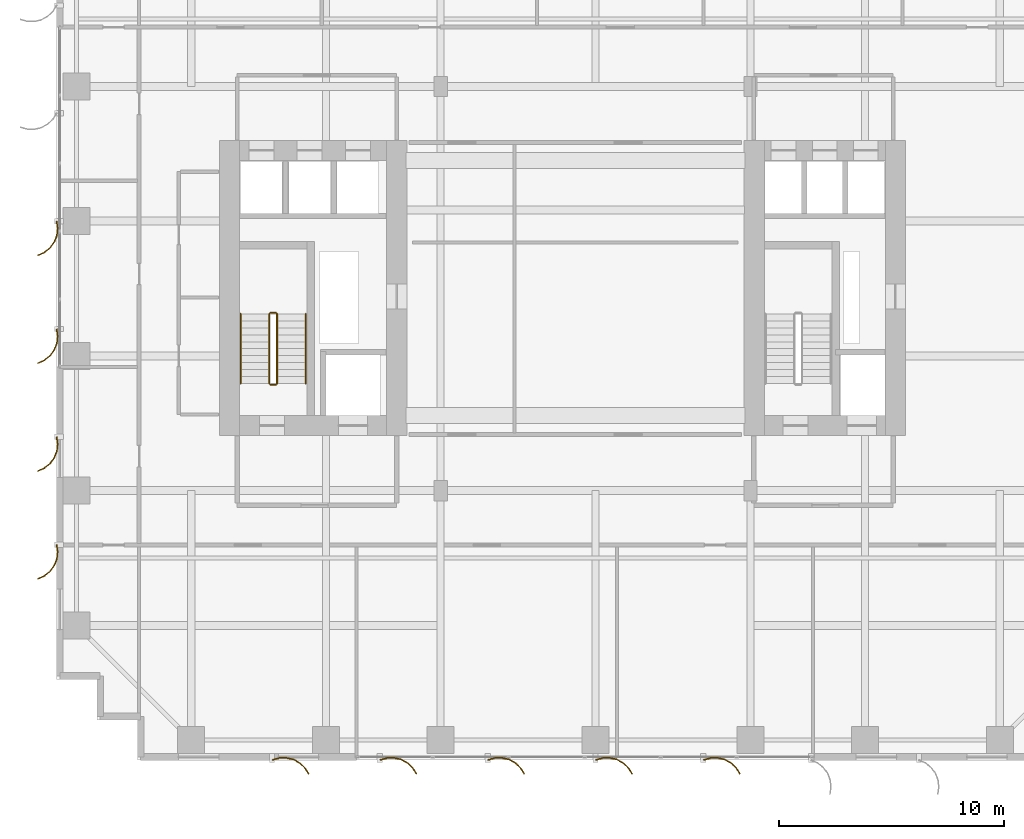
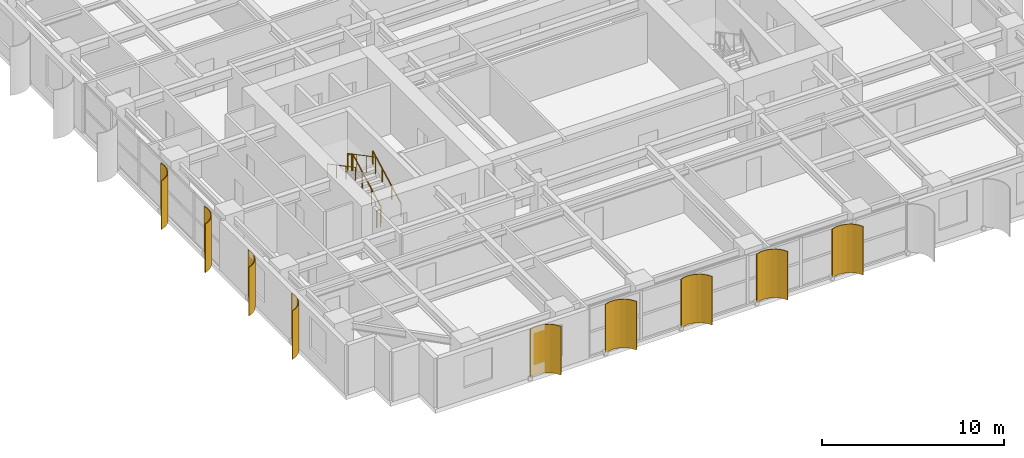
# One storey, part 22 of 25: 9 shading devices, 6 railings.
"""IFC4 building model written with IfcOpenShell, lengths in metres."""

from ifc_helpers import new_model, si_unit, direction, frame, origin, origin_2d, place, context, subcontext, project, spatial, polyline, circle, outline, extrude, source, transform, mapped, material, layer, layer_set, type_object, element, save


model = new_model("IFC4")

# Units and contexts
model_context = context("Model", 3, precision=1e-05, world=origin(), true_north=direction((0.0, 1.0)))
body_context = subcontext(model_context, "Body", "Model", "MODEL_VIEW")
ifc_project = project(units=[si_unit("LENGTHUNIT", "METRE"), si_unit("AREAUNIT", "SQUARE_METRE"), si_unit("VOLUMEUNIT", "CUBIC_METRE"), si_unit("PLANEANGLEUNIT", "RADIAN"), si_unit("MASSUNIT", "GRAM", prefix="KILO")], contexts=[model_context])

# Site, building, storey
site_placement = place(None, origin())
site = spatial("IfcSite", under=ifc_project, at=site_placement, CompositionType="ELEMENT")
building_placement = place(site_placement, origin())
building = spatial("IfcBuilding", under=site, at=building_placement, Name="Khoralis Quay Care Tower", CompositionType="ELEMENT")
storey_placement = place(building_placement, frame((0.0, 0.0, 51.300048828125)))
storey = spatial("IfcBuildingStorey", under=building, at=storey_placement, Name="L13", CompositionType="ELEMENT", Elevation=51.300048828125)

# Railings
ifc_material_1 = material(Name="Brushed stainless steel", Category="steel")
railing_type_1 = type_object("IfcRailingType", Name="RL-GUARD-1150", PredefinedType="GUARDRAIL", material=ifc_material_1)
railing_1_placement = place(storey_placement, frame((9.820068359375, 16.77001953125, 0.16357421875)))
element("IfcRailing", 1, at=railing_1_placement, inside=storey, type_object=railing_type_1, Name="L13 ST-T1 stair guard 1", PredefinedType="GUARDRAIL", context=body_context, shape_type="SweptSolid", body=[
    extrude(circle(Radius=0.02392578125, at=origin_2d()), frame((0.0, 0.0, 1.1259765625), z_axis=(0.0, 0.884348015382, 0.466828220752), x_axis=(-1.0, 0.0, 0.0)), (0.0, 0.0, 1.0), 3.505615234375),
    extrude(circle(Radius=0.02099609375, at=origin_2d()), origin(), (0.0, 0.0, 1.0), 1.101806640625),
    extrude(circle(Radius=0.02099609375, at=origin_2d()), frame((0.0, 1.033447265625, 0.54541015625)), (0.0, 0.0, 1.0), 1.101806640625),
    extrude(circle(Radius=0.02099609375, at=origin_2d()), frame((0.0, 2.066650390625, 1.091064453125)), (0.0, 0.0, 1.0), 1.101806640625),
    extrude(circle(Radius=0.02099609375, at=origin_2d()), frame((0.0, 3.10009765625, 1.636474609375)), (0.0, 0.0, 1.0), 1.101806640625),
])
railing_2_placement = place(storey_placement, frame((9.77001953125, 19.919921875, 1.800048828125)))
element("IfcRailing", 2, at=railing_2_placement, inside=storey, type_object=railing_type_1, Name="L13 ST-T1 stair guard 2", PredefinedType="GUARDRAIL", context=body_context, shape_type="SweptSolid", body=[
    extrude(circle(Radius=0.02392578125, at=origin_2d()), frame((0.0, 0.0, 1.1259765625), z_axis=(-1.0, 0.0, 0.0), x_axis=(0.0, -1.0, 0.0)), (0.0, 0.0, 1.0), 0.239990234375),
    extrude(circle(Radius=0.02099609375, at=origin_2d()), origin(), (0.0, 0.0, 1.0), 1.101806640625),
    extrude(circle(Radius=0.02099609375, at=origin_2d()), frame((-0.239990234375, 0.0, 0.0)), (0.0, 0.0, 1.0), 1.101806640625),
])
railing_3_placement = place(storey_placement, frame((9.47998046875, 19.8701171875, 1.963623046875)))
element("IfcRailing", 3, at=railing_3_placement, inside=storey, type_object=railing_type_1, Name="L13 ST-T1 stair guard 3", PredefinedType="GUARDRAIL", context=body_context, shape_type="SweptSolid", body=[
    extrude(circle(Radius=0.02392578125, at=origin_2d()), frame((0.0, 0.0, 1.1259765625), z_axis=(0.0, -0.884376766648, 0.46677375099), x_axis=(1.0, 0.0, 0.0)), (0.0, 0.0, 1.0), 3.50537109375),
    extrude(circle(Radius=0.02099609375, at=origin_2d()), origin(), (0.0, 0.0, 1.0), 1.101806640625),
    extrude(circle(Radius=0.02099609375, at=origin_2d()), frame((0.0, -1.033447265625, 0.54541015625)), (0.0, 0.0, 1.0), 1.101806640625),
    extrude(circle(Radius=0.02099609375, at=origin_2d()), frame((0.0, -2.066650390625, 1.0908203125)), (0.0, 0.0, 1.0), 1.101806640625),
    extrude(circle(Radius=0.02099609375, at=origin_2d()), frame((0.0, -3.10009765625, 1.63623046875)), (0.0, 0.0, 1.0), 1.101806640625),
])
railing_4_placement = place(storey_placement, frame((9.77001953125, 16.719970703125, 0.0)))
element("IfcRailing", 4, at=railing_4_placement, inside=storey, type_object=railing_type_1, Name="L13 ST-T1 stair guard 4", PredefinedType="GUARDRAIL", context=body_context, shape_type="SweptSolid", body=[
    extrude(circle(Radius=0.02392578125, at=origin_2d()), frame((0.0, 0.0, 1.1259765625), z_axis=(-1.0, 0.0, 0.0), x_axis=(0.0, -1.0, 0.0)), (0.0, 0.0, 1.0), 0.239990234375),
    extrude(circle(Radius=0.02099609375, at=origin_2d()), origin(), (0.0, 0.0, 1.0), 1.101806640625),
    extrude(circle(Radius=0.02099609375, at=origin_2d()), frame((-0.239990234375, 0.0, 0.0)), (0.0, 0.0, 1.0), 1.101806640625),
])
railing_type_2 = type_object("IfcRailingType", Name="RL-HAND-900", PredefinedType="HANDRAIL", material=ifc_material_1)
railing_5_placement = place(storey_placement, frame((11.10009765625, 16.77001953125, 0.16357421875)))
element("IfcRailing", 5, at=railing_5_placement, inside=storey, type_object=railing_type_2, Name="L13 ST-T1 stair handrail 1", PredefinedType="HANDRAIL", context=body_context, shape_type="SweptSolid", body=[
    extrude(circle(Radius=0.02392578125, at=origin_2d()), frame((0.0, 0.0, 0.8759765625), z_axis=(0.0, 0.884348015382, 0.466828220752), x_axis=(-1.0, 0.0, 0.0)), (0.0, 0.0, 1.0), 3.505615234375),
    extrude(circle(Radius=0.02099609375, at=origin_2d()), origin(), (0.0, 0.0, 1.0), 0.851806640625),
    extrude(circle(Radius=0.02099609375, at=origin_2d()), frame((0.0, 1.033447265625, 0.54541015625)), (0.0, 0.0, 1.0), 0.851806640625),
    extrude(circle(Radius=0.02099609375, at=origin_2d()), frame((0.0, 2.066650390625, 1.091064453125)), (0.0, 0.0, 1.0), 0.851806640625),
    extrude(circle(Radius=0.02099609375, at=origin_2d()), frame((0.0, 3.10009765625, 1.636474609375)), (0.0, 0.0, 1.0), 0.851806640625),
])
railing_6_placement = place(storey_placement, frame((8.199951171875, 19.8701171875, 1.963623046875)))
element("IfcRailing", 6, at=railing_6_placement, inside=storey, type_object=railing_type_2, Name="L13 ST-T1 stair handrail 2", PredefinedType="HANDRAIL", context=body_context, shape_type="SweptSolid", body=[
    extrude(circle(Radius=0.02392578125, at=origin_2d()), frame((0.0, 0.0, 0.8759765625), z_axis=(0.0, -0.884376766648, 0.46677375099), x_axis=(1.0, 0.0, 0.0)), (0.0, 0.0, 1.0), 3.50537109375),
    extrude(circle(Radius=0.02099609375, at=origin_2d()), origin(), (0.0, 0.0, 1.0), 0.851806640625),
    extrude(circle(Radius=0.02099609375, at=origin_2d()), frame((0.0, -1.033447265625, 0.54541015625)), (0.0, 0.0, 1.0), 0.851806640625),
    extrude(circle(Radius=0.02099609375, at=origin_2d()), frame((0.0, -2.066650390625, 1.0908203125)), (0.0, 0.0, 1.0), 0.851806640625),
    extrude(circle(Radius=0.02099609375, at=origin_2d()), frame((0.0, -3.10009765625, 1.63623046875)), (0.0, 0.0, 1.0), 0.851806640625),
])

# Shading devices
ifc_material_2 = material(Name="Brushed pale anodised aluminium", Category="aluminium")
ifc_layer = layer(ifc_material_2, 0.044921875)
ifc_layer_set = layer_set([ifc_layer], Name="Brushed pale anodised aluminium")
shading_device_type = type_object("IfcShadingDeviceType", Name="SHD-FIN-1250", PredefinedType="USERDEFINED", material=ifc_layer_set)
shared_shape_1 = source(origin(), body_context, "Body", "SweptSolid", [
    extrude(outline(polyline([(0.0, 0.0), (-0.04833984375, 0.32275390625), (-0.01123046875, 0.64697265625), (0.1083984375, 0.950439453125), (0.302490234375, 1.212890625), (0.557861328125, 1.416015625), (0.85693359375, 1.546142578125), (0.869384765625, 1.5029296875), (0.5810546875, 1.37744140625), (0.334716796875, 1.181640625), (0.147705078125, 0.9287109375), (0.032470703125, 0.635986328125), (-0.003173828125, 0.323486328125), (0.043212890625, 0.012451171875), (0.0, 0.0)])), origin(), (0.0, 0.0, 1.0), 3.260009765625),
])
for number, where, z_axis, x_axis, name in (
    (7, (0.030029296875, 24.0, 0.02001953125), (0.0, 0.0, 1.0), (-1.0, 0.0, 0.0), "L13 Curved Solar Fin P1E15-04"),
    (8, (0.030029296875, 19.199951171875, 0.02001953125), (0.0, 0.0, 1.0), (-1.0, 0.0, 0.0), "L13 Curved Solar Fin P1E15-05"),
    (9, (0.030029296875, 14.39990234375, 0.02001953125), (0.0, 0.0, 1.0), (-1.0, 0.0, 0.0), "L13 Curved Solar Fin P1E15-06"),
    (10, (0.030029296875, 9.60009765625, 0.02001953125), (0.0, 0.0, 1.0), (-1.0, 0.0, 0.0), "L13 Curved Solar Fin P1E15-07"),
):
    element("IfcShadingDevice", number, at=place(storey_placement, frame(where, z_axis=z_axis, x_axis=x_axis)), inside=storey, type_object=shading_device_type, Name=name, ObjectType="FIN", PredefinedType="USERDEFINED", context=body_context, shape_type="MappedRepresentation", body=[
        mapped(shared_shape_1, transform((0.0, 0.0, 0.0), scale=1.0)),
    ])
shared_shape_2 = source(origin(), body_context, "Body", "SweptSolid", [
    extrude(outline(polyline([(0.0, 0.0), (-0.0927734375, 0.31298828125), (-0.101318359375, 0.63916015625), (-0.025146484375, 0.956298828125), (0.130615234375, 1.2431640625), (0.355224609375, 1.479736328125), (0.633544921875, 1.650390625), (0.65185546875, 1.609130859375), (0.383544921875, 1.44482421875), (0.1669921875, 1.216796875), (0.01708984375, 0.940185546875), (-0.056396484375, 0.63427734375), (-0.04833984375, 0.31982421875), (0.041015625, 0.018310546875), (0.0, 0.0)])), origin(), (0.0, 0.0, 1.0), 3.260009765625),
])
for number, where, z_axis, x_axis, name in (
    (11, (9.60009765625, 0.030029296875, 0.02001953125), (0.0, 0.0, 1.0), (0.0, -1.0, 0.0), "L13 Curved Solar Fin P1E0-01"),
    (12, (14.39990234375, 0.030029296875, 0.02001953125), (0.0, 0.0, 1.0), (0.0, -1.0, 0.0), "L13 Curved Solar Fin P1E0-02"),
    (13, (19.199951171875, 0.030029296875, 0.02001953125), (0.0, 0.0, 1.0), (0.0, -1.0, 0.0), "L13 Curved Solar Fin P1E0-03"),
    (14, (24.0, 0.030029296875, 0.02001953125), (0.0, 0.0, 1.0), (0.0, -1.0, 0.0), "L13 Curved Solar Fin P1E0-04"),
    (15, (28.800048828125, 0.030029296875, 0.02001953125), (0.0, 0.0, 1.0), (0.0, -1.0, 0.0), "L13 Curved Solar Fin P1E0-05"),
):
    element("IfcShadingDevice", number, at=place(storey_placement, frame(where, z_axis=z_axis, x_axis=x_axis)), inside=storey, type_object=shading_device_type, Name=name, ObjectType="FIN", PredefinedType="USERDEFINED", context=body_context, shape_type="MappedRepresentation", body=[
        mapped(shared_shape_2, transform((0.0, 0.0, 0.0), scale=1.0)),
    ])

save(model, "model.ifc")
